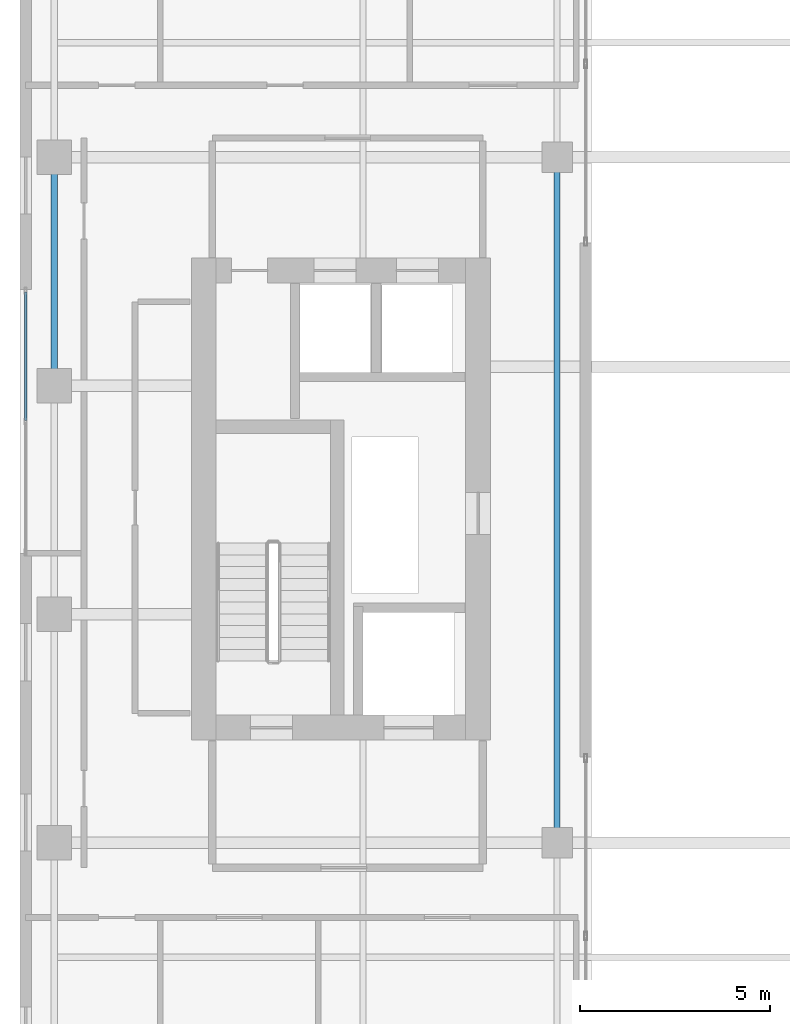
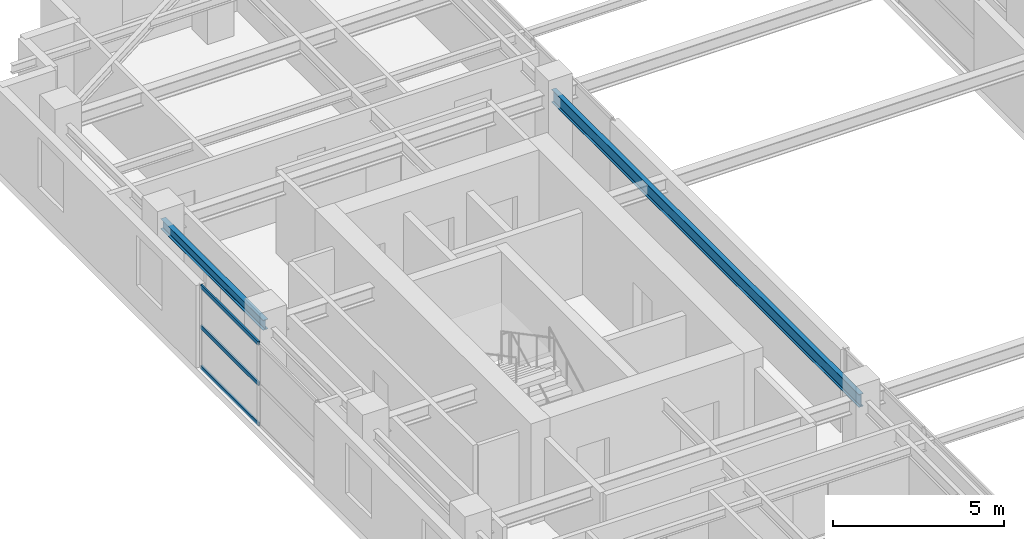
# One storey, part 7 of 21: 3 members, 2 beams, 1 element without a shape of its own.
"""IFC4 building model written with IfcOpenShell, lengths in metres."""

from ifc_helpers import new_model, si_unit, direction, frame, origin, origin_2d, place, context, subcontext, project, spatial, hollow_rectangle, i_section, extrude, source, transform, mapped, material, layer, layer_set, material_profile, profile_set, type_object, element, aggregate, save


model = new_model("IFC4")

# Units and contexts
model_context = context("Model", 3, precision=1e-05, world=origin(), true_north=direction((0.0, 1.0)))
body_context = subcontext(model_context, "Body", "Model", "MODEL_VIEW")
ifc_project = project(units=[si_unit("LENGTHUNIT", "METRE"), si_unit("AREAUNIT", "SQUARE_METRE"), si_unit("VOLUMEUNIT", "CUBIC_METRE"), si_unit("PLANEANGLEUNIT", "RADIAN"), si_unit("MASSUNIT", "GRAM", prefix="KILO")], contexts=[model_context])

# Site, building, storey
site_placement = place(None, origin())
site = spatial("IfcSite", under=ifc_project, at=site_placement, CompositionType="ELEMENT")
building_placement = place(site_placement, origin())
building = spatial("IfcBuilding", under=site, at=building_placement, Name="Khoralis Quay Care Tower", CompositionType="ELEMENT")
storey_placement = place(building_placement, frame((0.0, 0.0, 213.300048828125)))
storey = spatial("IfcBuildingStorey", under=building, at=storey_placement, Name="L56", CompositionType="ELEMENT", Elevation=213.300048828125)

# Beams
ifc_material_1 = material(Name="Steel S355", Category="steel")
ifc_material_profile_1 = material_profile(ifc_material_1, i_section(OverallWidth=0.169921875, OverallDepth=0.360107421875, WebThickness=0.008056640625, FlangeThickness=0.0126953125, FilletRadius=0.01806640625, at=origin_2d()), Name="Steel S355")
ifc_profile_set_1 = profile_set([ifc_material_profile_1], Name="Steel S355")
beam_type_1 = type_object("IfcBeamType", Name="BM-IPE360", PredefinedType="SPANDREL", material=ifc_profile_set_1)
shared_shape_1 = source(origin(), body_context, "Body", "SweptSolid", [
    extrude(i_section(OverallWidth=0.169921875, OverallDepth=0.360107421875, WebThickness=0.008056640625, FlangeThickness=0.0126953125, FilletRadius=0.01806640625, at=origin_2d()), origin(), (0.0, 0.0, 1.0), 6.0),
])
beam_1_placement = place(storey_placement, frame((3.89990234375, 24.0, 2.77001953125), z_axis=(0.0, 1.0, 0.0), x_axis=(-1.0, 0.0, 0.0)))
element("IfcBeam", 1, at=beam_1_placement, inside=storey, type_object=beam_type_1, Name="BM-TSP-L56-10", PredefinedType="SPANDREL", context=body_context, shape_type="MappedRepresentation", body=[
    mapped(shared_shape_1, transform((0.0, 0.0, 0.0), scale=1.0)),
])
ifc_material_profile_2 = material_profile(ifc_material_1, i_section(OverallWidth=0.154052734375, OverallDepth=0.458984375, WebThickness=0.009033203125, FlangeThickness=0.015380859375, FilletRadius=0.014892578125, at=origin_2d()), Name="Steel S355")
ifc_profile_set_2 = profile_set([ifc_material_profile_2], Name="Steel S355")
beam_type_2 = type_object("IfcBeamType", Name="BM-W460X68", PredefinedType="BEAM", material=ifc_profile_set_2)
shared_shape_2 = source(origin(), body_context, "Body", "SweptSolid", [
    extrude(i_section(OverallWidth=0.154052734375, OverallDepth=0.458984375, WebThickness=0.009033203125, FlangeThickness=0.015380859375, FilletRadius=0.014892578125, at=origin_2d()), origin(), (0.0, 0.0, 1.0), 18.0),
])
beam_2_placement = place(storey_placement, frame((17.10009765625, 12.0, 2.720458984375), z_axis=(0.0, 1.0, 0.0), x_axis=(-1.0, 0.0, 0.0)))
element("IfcBeam", 2, at=beam_2_placement, inside=storey, type_object=beam_type_2, Name="BM-TGSW-L56", PredefinedType="BEAM", context=body_context, shape_type="MappedRepresentation", body=[
    mapped(shared_shape_2, transform((0.0, 0.0, 0.0), scale=1.0)),
])

# Curtain wall, members
ifc_material_2 = material(Name="Pale anodised aluminium", Category="aluminium")
ifc_layer = layer(ifc_material_2, 0.159912109375)
ifc_layer_set = layer_set([ifc_layer], Name="Pale anodised aluminium")
curtain_wall_type = type_object("IfcCurtainWallType", Name="CW-SYS-Z3", PredefinedType="NOTDEFINED", material=ifc_layer_set)
curtain_wall_placement = place(storey_placement, origin())
curtain_wall = element("IfcCurtainWall", 3, at=curtain_wall_placement, inside=storey, type_object=curtain_wall_type, Name="L56 Unitised Curtain Wall CW-L56-P1-E7", PredefinedType="NOTDEFINED")
ifc_material_profile_3 = material_profile(ifc_material_2, hollow_rectangle(XDim=0.06005859375, YDim=0.139892578125, WallThickness=0.00390625, at=origin_2d()), Name="Pale anodised aluminium")
ifc_profile_set_3 = profile_set([ifc_material_profile_3], Name="Pale anodised aluminium")
member_type = type_object("IfcMemberType", Name="CW-TRN-140", PredefinedType="USERDEFINED", material=ifc_profile_set_3)
shared_shape_3 = source(origin(), body_context, "Body", "SweptSolid", [
    extrude(hollow_rectangle(XDim=0.06005859375, YDim=0.139892578125, WallThickness=0.00390625, at=origin_2d()), origin(), (0.0, 0.0, 1.0), 3.369873046875),
])
member_1_placement = place(storey_placement, frame((3.14990234375, 26.4599609375, 0.030029296875), z_axis=(0.0, -1.0, 0.0), x_axis=(1.0, 0.0, 0.0)))
member_1 = element("IfcMember", 4, at=member_1_placement, type_object=member_type, Name="CW3 transom 1.1", ObjectType="TRANSOM", PredefinedType="USERDEFINED", context=body_context, shape_type="MappedRepresentation", body=[
    mapped(shared_shape_3, transform((0.0, 0.0, 0.0), scale=1.0)),
])
member_2_placement = place(storey_placement, frame((3.14990234375, 26.4599609375, 1.474853515625), z_axis=(0.0, -1.0, 0.0), x_axis=(1.0, 0.0, 0.0)))
member_2 = element("IfcMember", 5, at=member_2_placement, type_object=member_type, Name="CW3 transom 1.2", ObjectType="TRANSOM", PredefinedType="USERDEFINED", context=body_context, shape_type="MappedRepresentation", body=[
    mapped(shared_shape_3, transform((0.0, 0.0, 0.0), scale=1.0)),
])
member_3_placement = place(storey_placement, frame((3.14990234375, 26.4599609375, 2.919921875), z_axis=(0.0, -1.0, 0.0), x_axis=(1.0, 0.0, 0.0)))
member_3 = element("IfcMember", 6, at=member_3_placement, type_object=member_type, Name="CW3 transom 1.3", ObjectType="TRANSOM", PredefinedType="USERDEFINED", context=body_context, shape_type="MappedRepresentation", body=[
    mapped(shared_shape_3, transform((0.0, 0.0, 0.0), scale=1.0)),
])
aggregate(curtain_wall, [member_1, member_2, member_3])

save(model, "model.ifc")
